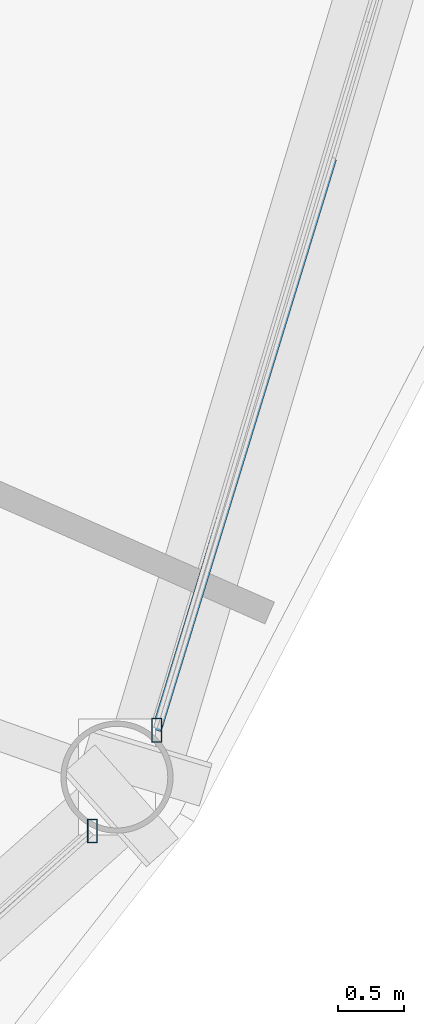
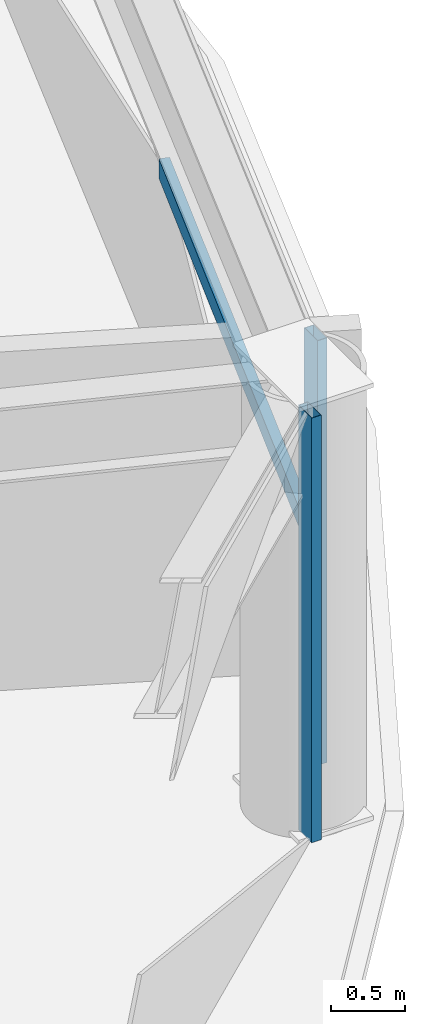
# One storey, part 10 of 30: 3 members, 2 elements without a shape of their own.
"""IFC4 building model written with IfcOpenShell, lengths in metres."""

from ifc_helpers import new_model, si_unit, direction, frame, origin, origin_2d, place, context, subcontext, project, spatial, hollow_rectangle, extrude, material, layer, layer_set, material_profile, profile_set, type_object, element, aggregate, save


model = new_model("IFC4")

# Units and contexts
model_context = context("Model", 3, precision=1e-05, world=origin(), true_north=direction((0.0, 1.0)))
body_context = subcontext(model_context, "Body", "Model", "MODEL_VIEW")
ifc_project = project(units=[si_unit("LENGTHUNIT", "METRE"), si_unit("AREAUNIT", "SQUARE_METRE"), si_unit("VOLUMEUNIT", "CUBIC_METRE"), si_unit("PLANEANGLEUNIT", "RADIAN"), si_unit("MASSUNIT", "GRAM", prefix="KILO")], contexts=[model_context])

# Site, building, storey
site_placement = place(None, origin())
site = spatial("IfcSite", under=ifc_project, at=site_placement, CompositionType="ELEMENT")
building_placement = place(site_placement, origin())
building = spatial("IfcBuilding", under=site, at=building_placement, Name="Vantalir Tower", CompositionType="ELEMENT")
storey_placement = place(building_placement, frame((0.0, 0.0, 57.0)))
storey = spatial("IfcBuildingStorey", under=building, at=storey_placement, Name="L13", CompositionType="ELEMENT", Elevation=57.0)

# Curtain wall, member
ifc_material_1 = material(Name="Champagne-silver PVDF aluminium and double-silver Low-E glass", Category="aluminium")
ifc_layer = layer(ifc_material_1, 0.18994140625)
ifc_layer_set = layer_set([ifc_layer], Name="Champagne-silver PVDF aluminium and double-silver Low-E glass")
curtain_wall_type = type_object("IfcCurtainWallType", Name="CW-DIAMOND-Z1", PredefinedType="USERDEFINED", material=ifc_layer_set)
curtain_wall_1_placement = place(storey_placement, origin())
curtain_wall_1 = element("IfcCurtainWall", 1, at=curtain_wall_1_placement, inside=storey, type_object=curtain_wall_type, Name="L13 Quilted Pyramid-Diamond Curtain Wall S11", ObjectType="UNITISED CURTAIN WALL", PredefinedType="USERDEFINED")
ifc_material_2 = material(Name="Champagne-silver PVDF aluminium 6063-T6", Category="aluminium")
ifc_material_profile_1 = material_profile(ifc_material_2, hollow_rectangle(XDim=0.074951171875, YDim=0.179931640625, WallThickness=0.00390625, at=origin_2d()), Name="Champagne-silver PVDF aluminium 6063-T6")
ifc_profile_set_1 = profile_set([ifc_material_profile_1], Name="Champagne-silver PVDF aluminium 6063-T6")
member_type_1 = type_object("IfcMemberType", Name="CWM-180x75", PredefinedType="MULLION", material=ifc_profile_set_1)
member_1_placement = place(storey_placement, frame((55.0869140625, 12.365966796875, 0.044921875), z_axis=(0.0, 0.0, 1.0), x_axis=(1.0, 0.0, 0.0)))
member_1 = element("IfcMember", 2, at=member_1_placement, type_object=member_type_1, Name="CW-L13-S11 Mullion 2", PredefinedType="MULLION", context=body_context, shape_type="SweptSolid", body=[
    extrude(hollow_rectangle(XDim=0.074951171875, YDim=0.179931640625, WallThickness=0.00390625, at=origin_2d()), origin(), (0.0, 0.0, 1.0), 3.47998046875),
])
aggregate(curtain_wall_1, [member_1])

# Curtain wall, members
curtain_wall_2_placement = place(storey_placement, origin())
curtain_wall_2 = element("IfcCurtainWall", 3, at=curtain_wall_2_placement, inside=storey, type_object=curtain_wall_type, Name="L13 Quilted Pyramid-Diamond Curtain Wall S12", ObjectType="UNITISED CURTAIN WALL", PredefinedType="USERDEFINED")
member_2_placement = place(storey_placement, frame((55.572998046875, 13.12890625, 0.044921875), z_axis=(0.0, 0.0, 1.0), x_axis=(1.0, 0.0, 0.0)))
member_2 = element("IfcMember", 4, at=member_2_placement, type_object=member_type_1, Name="CW-L13-S12 Mullion 1", PredefinedType="MULLION", context=body_context, shape_type="SweptSolid", body=[
    extrude(hollow_rectangle(XDim=0.074951171875, YDim=0.179931640625, WallThickness=0.00390625, at=origin_2d()), origin(), (0.0, 0.0, 1.0), 3.47998046875),
])
ifc_material_profile_2 = material_profile(ifc_material_2, hollow_rectangle(XDim=0.074951171875, YDim=0.159912109375, WallThickness=0.00390625, at=origin_2d()), Name="Champagne-silver PVDF aluminium 6063-T6")
ifc_profile_set_2 = profile_set([ifc_material_profile_2], Name="Champagne-silver PVDF aluminium 6063-T6")
member_type_2 = type_object("IfcMemberType", Name="CWT-160x75", PredefinedType="USERDEFINED", material=ifc_profile_set_2)
member_3_placement = place(storey_placement, frame((55.572998046875, 13.12890625, 1.784912109375), z_axis=(0.293006776638, 0.956110364364, 0.0), x_axis=(-0.956110364364, 0.293006776638, 0.0)))
member_3 = element("IfcMember", 5, at=member_3_placement, type_object=member_type_2, Name="CW-L13-S12 Pyramid Fold Ridge Transom", ObjectType="TRANSOM", PredefinedType="USERDEFINED", context=body_context, shape_type="SweptSolid", body=[
    extrude(hollow_rectangle(XDim=0.074951171875, YDim=0.159912109375, WallThickness=0.00390625, at=origin_2d()), origin(), (0.0, 0.0, 1.0), 4.531982421875),
])
aggregate(curtain_wall_2, [member_2, member_3])

save(model, "model.ifc")
